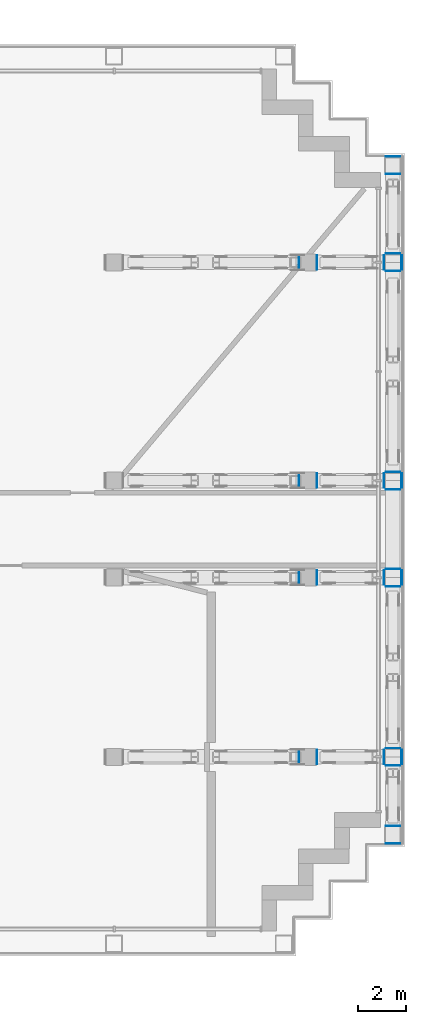
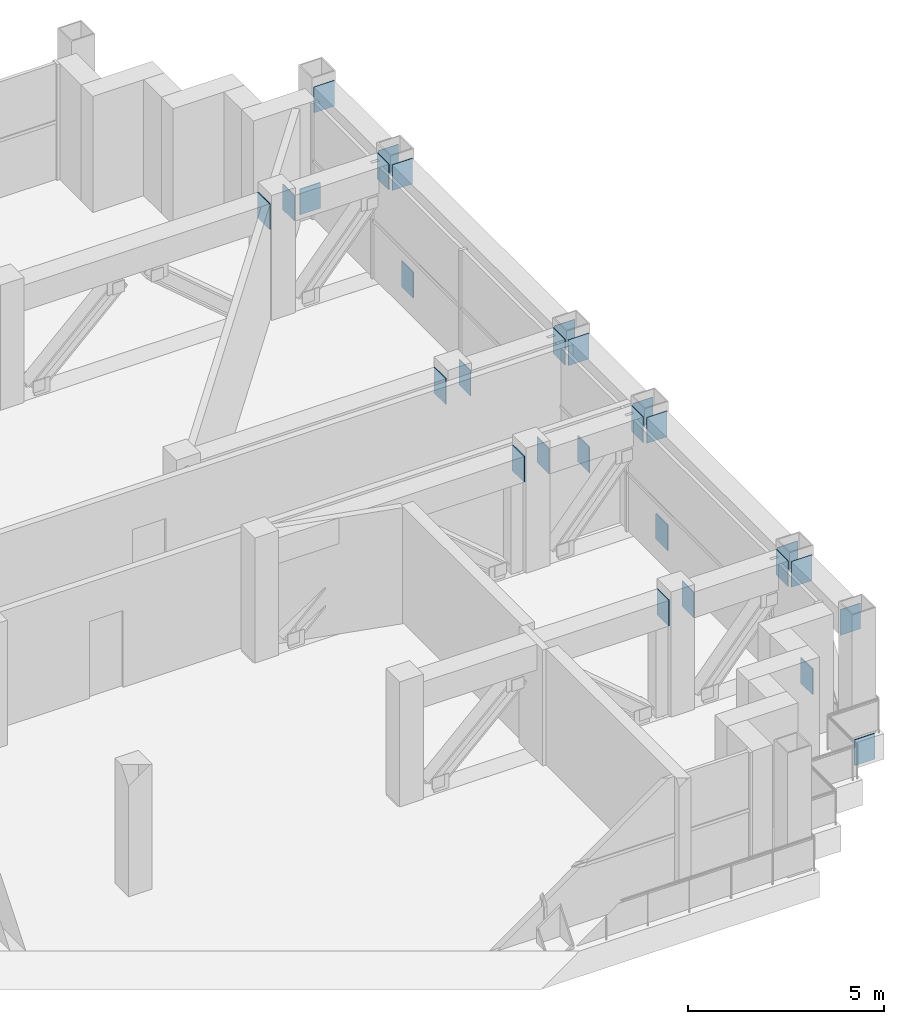
# One storey, part 13 of 21: 28 discrete accessories.
"""IFC4 building model written with IfcOpenShell, lengths in metres."""

import ifcopenshell
import ifcopenshell.guid

model = None  # the IFC model being written
_history = None  # IfcOwnerHistory: only IFC2X3 demands one
_inside = {}  # id of a spatial element -> (the spatial element, [elements in it])
_under = {}  # id of a project, library or spatial element -> (it, [spatial elements below it])
_declared = {}  # id of a project -> (the project, [libraries it declares])
_typed = {}  # id of a type object -> (the type object, [elements of that type])
_made_of = {}  # id of a material, layer set ... -> (it, [elements and type objects made of it])


def new_model(schema):
    """Start an empty IFC model of exactly this schema.

    Asked for "IFC4X3", IfcOpenShell would pick the latest addendum, in which some entities
    have other attributes; the version numbers below select the first issue.
    IFC2X3 requires an IfcOwnerHistory on every rooted entity: one is made here for all.
    """
    global model, _history
    if schema == "IFC4X3":
        model = ifcopenshell.file(schema_version=(4, 3, 0, 0))
    else:
        model = ifcopenshell.file(schema=schema)
    _inside.clear()
    _under.clear()
    _declared.clear()
    _typed.clear()
    _made_of.clear()
    _history = None
    if model.schema == "IFC2X3":
        org = make("IfcOrganization", Name="unknown")
        user = make(
            "IfcPersonAndOrganization",
            ThePerson=make("IfcPerson", FamilyName="unknown"),
            TheOrganization=org,
        )
        app = make(
            "IfcApplication",
            ApplicationDeveloper=org,
            Version="unknown",
            ApplicationFullName="unknown",
            ApplicationIdentifier="unknown",
        )
        _history = make(
            "IfcOwnerHistory",
            OwningUser=user,
            OwningApplication=app,
            ChangeAction="ADDED",
            CreationDate=0,
        )
    return model


def make(cls, **values):
    """One entity of the class cls with the attributes given. An attribute that is None is left unset."""
    return model.create_entity(
        cls, **{name: value for name, value in values.items() if value is not None}
    )


def rooted(cls, **values):
    """An entity with a GlobalId (a new one), such as an element, a storey or a relation."""
    return make(cls, GlobalId=ifcopenshell.guid.new(), OwnerHistory=_history, **values)


def si_unit(unit_type, name, prefix=None):
    """IfcSIUnit, for example si_unit("LENGTHUNIT", "METRE", prefix="MILLI")."""
    return make("IfcSIUnit", UnitType=unit_type, Prefix=prefix, Name=name)


def assignment(units):
    """IfcUnitAssignment: the units of a project."""
    return None if units is None else make("IfcUnitAssignment", Units=units)


def point(xyz):
    """IfcCartesianPoint."""
    return None if xyz is None else make("IfcCartesianPoint", Coordinates=xyz)


def direction(xyz):
    """IfcDirection."""
    return None if xyz is None else make("IfcDirection", DirectionRatios=xyz)


def frame(location, z_axis=None, x_axis=None):
    """IfcAxis2Placement3D, a coordinate frame: its origin and axes. An axis left out is left unset."""
    return make(
        "IfcAxis2Placement3D",
        Location=point(location),
        Axis=direction(z_axis),
        RefDirection=direction(x_axis),
    )


def frame_2d(location, x_axis=None):
    """IfcAxis2Placement2D, a coordinate frame in the plane: its origin and x axis."""
    return make(
        "IfcAxis2Placement2D", Location=point(location), RefDirection=direction(x_axis)
    )


def origin():
    """The frame at (0, 0, 0) with its axes left unset."""
    return frame((0.0, 0.0, 0.0))


def origin_2d():
    """The frame at (0, 0) in the plane with its x axis left unset."""
    return frame_2d((0.0, 0.0))


def place(relative_to, where):
    """IfcLocalPlacement: puts the frame where relative to a parent placement (None: the world)."""
    return make(
        "IfcLocalPlacement", PlacementRelTo=relative_to, RelativePlacement=where
    )


def context(
    kind, dimensions, precision=None, world=None, true_north=None, identifier=None
):
    """IfcGeometricRepresentationContext, for example the 3D "Model" context."""
    return make(
        "IfcGeometricRepresentationContext",
        ContextIdentifier=identifier,
        ContextType=kind,
        CoordinateSpaceDimension=dimensions,
        Precision=precision,
        WorldCoordinateSystem=world,
        TrueNorth=true_north,
    )


def subcontext(parent, identifier, kind, view, scale=None):
    """IfcGeometricRepresentationSubContext, for example "Body" below "Model"."""
    return make(
        "IfcGeometricRepresentationSubContext",
        ContextIdentifier=identifier,
        ContextType=kind,
        ParentContext=parent,
        TargetScale=scale,
        TargetView=view,
    )


def project(units=None, contexts=None):
    """IfcProject with its units and contexts."""
    return rooted(
        "IfcProject",
        Name="project",
        RepresentationContexts=contexts,
        UnitsInContext=assignment(units),
    )


def spatial(cls, under=None, at=None, **own):
    """A site, building, storey or space (cls), placed at a placement, below another one or the project."""
    s = rooted(cls, ObjectPlacement=at, **own)
    if under is not None:
        _under.setdefault(under.id(), (under, []))[1].append(s)
    return s


def profile(cls, at=None, kind="AREA", **sizes):
    """A parametric profile (cls). Its sizes go by their IFC names, for example OverallWidth=200.0."""
    return make(cls, ProfileType=kind, Position=at, **sizes)


def rectangle(**sizes):
    """IfcRectangleProfileDef."""
    return profile("IfcRectangleProfileDef", **sizes)


def extrude(swept, where, along, depth):
    """IfcExtrudedAreaSolid: the profile swept, set in the frame where, extruded along a direction by depth."""
    return make(
        "IfcExtrudedAreaSolid",
        SweptArea=swept,
        Position=where,
        ExtrudedDirection=direction(along),
        Depth=depth,
    )


def shape(context_of_items, identifier, shape_type, items):
    """IfcShapeRepresentation: the items that make up one representation, for example the "Body"."""
    return make(
        "IfcShapeRepresentation",
        ContextOfItems=context_of_items,
        RepresentationIdentifier=identifier,
        RepresentationType=shape_type,
        Items=items,
    )


def made_of(thing, what):
    """Note that an element or type object is made of a material, layer set ...; save() writes the relation."""
    if what is not None:
        _made_of.setdefault(what.id(), (what, []))[1].append(thing)
    return thing


def element(
    cls,
    number,
    at=None,
    inside=None,
    cuts=None,
    type_object=None,
    material=None,
    context=None,
    identifier="Body",
    shape_type=None,
    held_by="IfcProductDefinitionShape",
    body=None,
    shapes=None,
    **own,
):
    """One element of the class cls, such as IfcWall. Its Tag is "e" and its number.

    at: its placement. inside: the storey or other place that contains it. cuts: it is an
    opening in that element (IfcRelVoidsElement). A single representation is given by context,
    identifier, shape_type and body (its items); several are given by shapes. held_by: the class
    of the entity that holds the representations. save() writes the other relations.
    """
    e = rooted(cls, Tag="e%d" % number, ObjectPlacement=at, **own)
    if body is not None:
        shapes = [shape(context, identifier, shape_type, body)]
    if shapes is not None:
        e.Representation = make(held_by, Representations=shapes)
    if inside is not None:
        _inside.setdefault(inside.id(), (inside, []))[1].append(e)
    if cuts is not None:
        rooted(
            "IfcRelVoidsElement", RelatingBuildingElement=cuts, RelatedOpeningElement=e
        )
    if type_object is not None:
        _typed.setdefault(type_object.id(), (type_object, []))[1].append(e)
    return made_of(e, material)


def aggregate(whole, parts):
    """IfcRelAggregates: a whole, such as a stair, and the parts it consists of."""
    return rooted("IfcRelAggregates", RelatingObject=whole, RelatedObjects=parts)


def save(model, path):
    """Write the relations noted so far, then the file.

    IfcRelAggregates (storeys below a building ...), IfcRelContainedInSpatialStructure (elements
    in a storey), IfcRelDefinesByType, IfcRelAssociatesMaterial and IfcRelDeclares: one each for
    every whole, place, type object, material and project.
    """
    for whole, parts in _under.values():
        aggregate(whole, parts)
    for where, things in _inside.values():
        rooted(
            "IfcRelContainedInSpatialStructure",
            RelatedElements=things,
            RelatingStructure=where,
        )
    for kind, things in _typed.values():
        rooted("IfcRelDefinesByType", RelatedObjects=things, RelatingType=kind)
    for what, things in _made_of.values():
        rooted("IfcRelAssociatesMaterial", RelatedObjects=things, RelatingMaterial=what)
    for by, libraries in _declared.values():
        rooted("IfcRelDeclares", RelatingContext=by, RelatedDefinitions=libraries)
    model.write(path)


model = new_model("IFC4")

# Units and contexts
model_context = context("Model", 3, precision=1e-05, world=origin(), true_north=direction((0.0, 1.0)))
body_context = subcontext(model_context, "Body", "Model", "MODEL_VIEW")
ifc_project = project(units=[si_unit("LENGTHUNIT", "METRE"), si_unit("AREAUNIT", "SQUARE_METRE"), si_unit("VOLUMEUNIT", "CUBIC_METRE"), si_unit("PLANEANGLEUNIT", "RADIAN"), si_unit("MASSUNIT", "GRAM", prefix="KILO")], contexts=[model_context])

# Site, building, storey
site_placement = place(None, origin())
site = spatial("IfcSite", under=ifc_project, at=site_placement, CompositionType="ELEMENT")
building_placement = place(site_placement, origin())
building = spatial("IfcBuilding", under=site, at=building_placement, Name="Vidyagriha Tower", CompositionType="ELEMENT")
storey_placement = place(building_placement, frame((0.0, 0.0, 161.39990234375)))
storey = spatial("IfcBuildingStorey", under=building, at=storey_placement, Name="L41", CompositionType="ELEMENT", Elevation=161.39990234375)

# Discrete accessories
for number, where, name in (
    (1, (37.864990234375, -9.39990234375, -0.7998046875), "Chord end plate"),
    (2, (33.6298828125, -9.39990234375, 2.8203125), "Chord end plate"),
    (3, (37.864990234375, -2.0, -0.7998046875), "Chord end plate"),
    (4, (33.6298828125, -2.0, 2.8203125), "Chord end plate"),
    (5, (37.864990234375, 2.0, -0.7998046875), "Chord end plate"),
    (6, (33.6298828125, 2.0, 2.8203125), "Chord end plate"),
    (7, (37.864990234375, 11.0, -0.7998046875), "Chord end plate"),
    (8, (33.6298828125, 11.0, 2.8203125), "Chord end plate"),
):
    element("IfcDiscreteAccessory", number, at=place(storey_placement, frame(where)), inside=storey, Name=name, ObjectType="END PLATE", PredefinedType="USERDEFINED", context=body_context, shape_type="SweptSolid", body=[
        extrude(rectangle(XDim=0.030029296875, YDim=0.60009765625, at=origin_2d()), origin(), (0.0, 0.0, 1.0), 0.800048828125),
    ])
for number, where, z_axis, x_axis, name in (
    (9, (37.5, -12.965087890625, -0.7998046875), (0.0, 0.0, 1.0), (0.0, -1.0, 0.0), "Chord end plate"),
    (10, (37.5, 15.364990234375, -0.7998046875), (0.0, 0.0, 1.0), (0.0, 1.0, 0.0), "Chord end plate"),
):
    element("IfcDiscreteAccessory", number, at=place(storey_placement, frame(where, z_axis=z_axis, x_axis=x_axis)), inside=storey, Name=name, ObjectType="END PLATE", PredefinedType="USERDEFINED", context=body_context, shape_type="SweptSolid", body=[
        extrude(rectangle(XDim=0.030029296875, YDim=0.60009765625, at=origin_2d()), origin(), (0.0, 0.0, 1.0), 0.800048828125),
    ])
discrete_accessory_1_placement = place(storey_placement, frame((34.35986328125, -9.39990234375, 2.8203125), z_axis=(0.0, 0.0, 1.0), x_axis=(-1.0, 0.0, 0.0)))
element("IfcDiscreteAccessory", 11, at=discrete_accessory_1_placement, inside=storey, Name="End plate ASTM A572 Grade 50 20mm", ObjectType="END PLATE", PredefinedType="USERDEFINED", context=body_context, shape_type="SweptSolid", body=[
    extrude(rectangle(XDim=0.02001953125, YDim=0.60009765625, at=origin_2d()), origin(), (0.0, 0.0, 1.0), 0.800048828125),
])
discrete_accessory_2_placement = place(storey_placement, frame((37.14013671875, -9.39990234375, 2.8203125)))
element("IfcDiscreteAccessory", 12, at=discrete_accessory_2_placement, inside=storey, Name="End plate ASTM A572 Grade 50 20mm", ObjectType="END PLATE", PredefinedType="USERDEFINED", context=body_context, shape_type="SweptSolid", body=[
    extrude(rectangle(XDim=0.02001953125, YDim=0.60009765625, at=origin_2d()), origin(), (0.0, 0.0, 1.0), 0.800048828125),
])
discrete_accessory_3_placement = place(storey_placement, frame((34.35986328125, -2.0, 2.8203125), z_axis=(0.0, 0.0, 1.0), x_axis=(-1.0, 0.0, 0.0)))
element("IfcDiscreteAccessory", 13, at=discrete_accessory_3_placement, inside=storey, Name="End plate ASTM A572 Grade 50 20mm", ObjectType="END PLATE", PredefinedType="USERDEFINED", context=body_context, shape_type="SweptSolid", body=[
    extrude(rectangle(XDim=0.02001953125, YDim=0.60009765625, at=origin_2d()), origin(), (0.0, 0.0, 1.0), 0.800048828125),
])
discrete_accessory_4_placement = place(storey_placement, frame((37.14013671875, -2.0, 2.8203125)))
element("IfcDiscreteAccessory", 14, at=discrete_accessory_4_placement, inside=storey, Name="End plate ASTM A572 Grade 50 20mm", ObjectType="END PLATE", PredefinedType="USERDEFINED", context=body_context, shape_type="SweptSolid", body=[
    extrude(rectangle(XDim=0.02001953125, YDim=0.60009765625, at=origin_2d()), origin(), (0.0, 0.0, 1.0), 0.800048828125),
])
discrete_accessory_5_placement = place(storey_placement, frame((34.35986328125, 2.0, 2.8203125), z_axis=(0.0, 0.0, 1.0), x_axis=(-1.0, 0.0, 0.0)))
element("IfcDiscreteAccessory", 15, at=discrete_accessory_5_placement, inside=storey, Name="End plate ASTM A572 Grade 50 20mm", ObjectType="END PLATE", PredefinedType="USERDEFINED", context=body_context, shape_type="SweptSolid", body=[
    extrude(rectangle(XDim=0.02001953125, YDim=0.60009765625, at=origin_2d()), origin(), (0.0, 0.0, 1.0), 0.800048828125),
])
discrete_accessory_6_placement = place(storey_placement, frame((37.14013671875, 2.0, 2.8203125)))
element("IfcDiscreteAccessory", 16, at=discrete_accessory_6_placement, inside=storey, Name="End plate ASTM A572 Grade 50 20mm", ObjectType="END PLATE", PredefinedType="USERDEFINED", context=body_context, shape_type="SweptSolid", body=[
    extrude(rectangle(XDim=0.02001953125, YDim=0.60009765625, at=origin_2d()), origin(), (0.0, 0.0, 1.0), 0.800048828125),
])
discrete_accessory_7_placement = place(storey_placement, frame((34.35986328125, 11.0, 2.8203125), z_axis=(0.0, 0.0, 1.0), x_axis=(-1.0, 0.0, 0.0)))
element("IfcDiscreteAccessory", 17, at=discrete_accessory_7_placement, inside=storey, Name="End plate ASTM A572 Grade 50 20mm", ObjectType="END PLATE", PredefinedType="USERDEFINED", context=body_context, shape_type="SweptSolid", body=[
    extrude(rectangle(XDim=0.02001953125, YDim=0.60009765625, at=origin_2d()), origin(), (0.0, 0.0, 1.0), 0.800048828125),
])
discrete_accessory_8_placement = place(storey_placement, frame((37.14013671875, 11.0, 2.8203125)))
element("IfcDiscreteAccessory", 18, at=discrete_accessory_8_placement, inside=storey, Name="End plate ASTM A572 Grade 50 20mm", ObjectType="END PLATE", PredefinedType="USERDEFINED", context=body_context, shape_type="SweptSolid", body=[
    extrude(rectangle(XDim=0.02001953125, YDim=0.60009765625, at=origin_2d()), origin(), (0.0, 0.0, 1.0), 0.800048828125),
])
for number, where, z_axis, x_axis, name in (
    (19, (37.5, -12.240234375, 2.8203125), (0.0, 0.0, 1.0), (0.0, -1.0, 0.0), "End plate ASTM A572 Grade 50 20mm"),
    (20, (37.5, -9.759765625, 2.8203125), (0.0, 0.0, 1.0), (0.0, 1.0, 0.0), "End plate ASTM A572 Grade 50 20mm"),
    (21, (37.5, -9.040283203125, 2.8203125), (0.0, 0.0, 1.0), (0.0, -1.0, 0.0), "End plate ASTM A572 Grade 50 20mm"),
    (22, (37.5, -2.35986328125, 2.8203125), (0.0, 0.0, 1.0), (0.0, 1.0, 0.0), "End plate ASTM A572 Grade 50 20mm"),
    (23, (37.5, -1.64013671875, 2.8203125), (0.0, 0.0, 1.0), (0.0, -1.0, 0.0), "End plate ASTM A572 Grade 50 20mm"),
    (24, (37.5, 1.64013671875, 2.8203125), (0.0, 0.0, 1.0), (0.0, 1.0, 0.0), "End plate ASTM A572 Grade 50 20mm"),
    (25, (37.5, 2.35986328125, 2.8203125), (0.0, 0.0, 1.0), (0.0, -1.0, 0.0), "End plate ASTM A572 Grade 50 20mm"),
    (26, (37.5, 10.64013671875, 2.8203125), (0.0, 0.0, 1.0), (0.0, 1.0, 0.0), "End plate ASTM A572 Grade 50 20mm"),
    (27, (37.5, 11.35986328125, 2.8203125), (0.0, 0.0, 1.0), (0.0, -1.0, 0.0), "End plate ASTM A572 Grade 50 20mm"),
    (28, (37.5, 14.64013671875, 2.8203125), (0.0, 0.0, 1.0), (0.0, 1.0, 0.0), "End plate ASTM A572 Grade 50 20mm"),
):
    element("IfcDiscreteAccessory", number, at=place(storey_placement, frame(where, z_axis=z_axis, x_axis=x_axis)), inside=storey, Name=name, ObjectType="END PLATE", PredefinedType="USERDEFINED", context=body_context, shape_type="SweptSolid", body=[
        extrude(rectangle(XDim=0.02001953125, YDim=0.60009765625, at=origin_2d()), origin(), (0.0, 0.0, 1.0), 0.800048828125),
    ])

save(model, "model.ifc")
